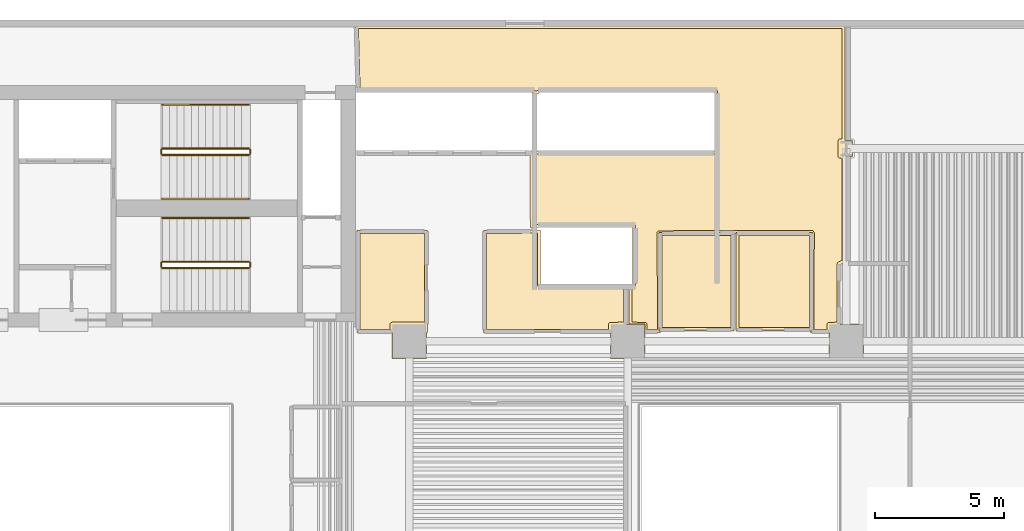
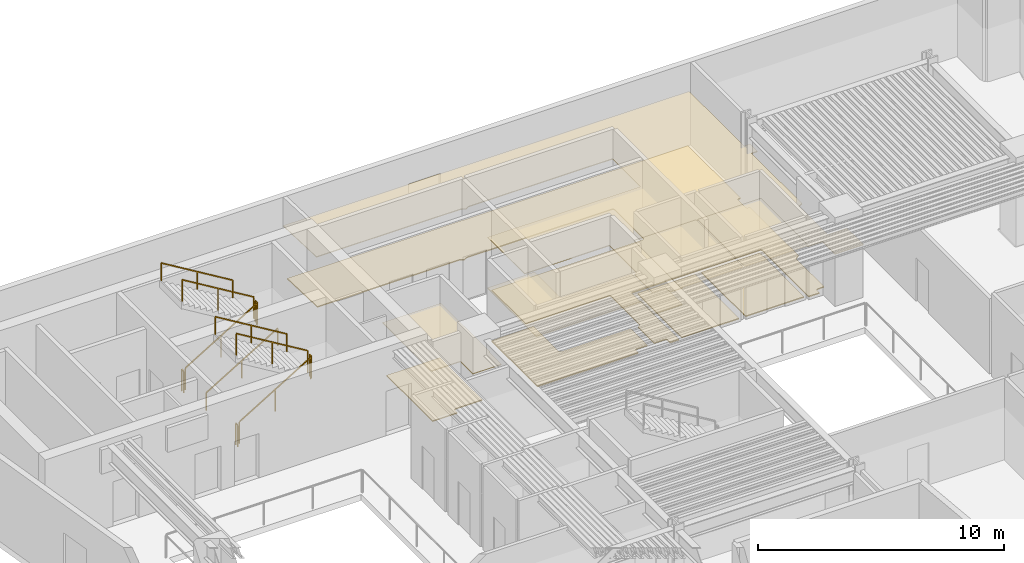
# One storey, part 11 of 12: 11 railings, 10 coverings.
"""IFC4 building model written with IfcOpenShell, lengths in metres."""

from ifc_helpers import new_model, si_unit, direction, frame, origin, origin_2d, place, context, subcontext, project, spatial, polyline, rectangle, outline, extrude, material, layer, layer_set, type_object, element, save


model = new_model("IFC4")

# Units and contexts
model_context = context("Model", 3, precision=1e-05, world=origin(), true_north=direction((0.0, 1.0)))
body_context = subcontext(model_context, "Body", "Model", "MODEL_VIEW")
ifc_project = project(units=[si_unit("LENGTHUNIT", "METRE"), si_unit("AREAUNIT", "SQUARE_METRE"), si_unit("VOLUMEUNIT", "CUBIC_METRE"), si_unit("PLANEANGLEUNIT", "RADIAN"), si_unit("MASSUNIT", "GRAM", prefix="KILO")], contexts=[model_context])

# Site, building, storey
site_placement = place(None, origin())
site = spatial("IfcSite", under=ifc_project, at=site_placement, CompositionType="ELEMENT")
building_placement = place(site_placement, origin())
building = spatial("IfcBuilding", under=site, at=building_placement, Name="Caeloran Harvest Quay", CompositionType="ELEMENT")
storey_placement = place(building_placement, frame((0.0, 0.0, 31.39990234375)))
storey = spatial("IfcBuildingStorey", under=building, at=storey_placement, Name="L07", CompositionType="ELEMENT", Elevation=31.39990234375)

# Coverings
ifc_material_1 = material(Name="Perforated Mineral-Fibre Acoustic Ceiling Tile", Category="ceiling")
ifc_layer_1 = layer(ifc_material_1, 0.0400390625, Name="Perforated Mineral-Fibre Acoustic Ceiling Tile")
ifc_layer_set_1 = layer_set([ifc_layer_1], Name="Perforated Mineral-Fibre Acoustic Ceiling Tile")
covering_type_1 = type_object("IfcCoveringType", Name="COV-CEILING-ACOUSTIC", PredefinedType="CEILING", material=ifc_layer_set_1)
covering_1_placement = place(storey_placement, frame((0.0, 0.0, 2.60009765625)))
element("IfcCovering", 1, at=covering_1_placement, inside=storey, type_object=covering_type_1, Name="L07 Core Telemetry West Room Acoustic Ceiling", PredefinedType="CEILING", context=body_context, shape_type="SweptSolid", body=[
    extrude(outline(polyline([(38.139892578125, 35.239990234375), (38.139892578125, 31.409912109375), (35.2099609375, 31.409912109375), (35.2099609375, 35.239990234375), (38.139892578125, 35.239990234375)])), origin(), (0.0, 0.0, 1.0), 0.0400390625),
])
covering_2_placement = place(storey_placement, frame((0.0, 0.0, 2.60009765625)))
element("IfcCovering", 2, at=covering_2_placement, inside=storey, type_object=covering_type_1, Name="L07 Core Metering East Room Acoustic Ceiling", PredefinedType="CEILING", context=body_context, shape_type="SweptSolid", body=[
    extrude(outline(polyline([(41.18994140625, 35.239990234375), (41.18994140625, 31.409912109375), (38.2099609375, 31.409912109375), (38.2099609375, 35.239990234375), (41.18994140625, 35.239990234375)])), origin(), (0.0, 0.0, 1.0), 0.0400390625),
])
covering_3_placement = place(storey_placement, frame((0.0, 0.0, 2.60009765625)))
element("IfcCovering", 3, at=covering_3_placement, inside=storey, type_object=covering_type_1, Name="Equipment Sterilisation Room Acoustic Ceiling", PredefinedType="CEILING", context=body_context, shape_type="SweptSolid", body=[
    extrude(outline(polyline([(34.669921875, 31.669921875), (34.669921875, 30.330078125), (33.330078125, 30.330078125), (33.330078125, 31.340087890625), (28.389892578125, 31.340087890625), (28.389892578125, 35.31005859375), (30.212890625, 35.31005859375), (30.22021484375, 35.330078125), (30.610107421875, 35.330078125), (30.610107421875, 33.2099609375), (32.34130859375, 33.2099609375), (32.34423828125, 33.2294921875), (32.39990234375, 33.23779296875), (32.455810546875, 33.2294921875), (32.458740234375, 33.2099609375), (33.9599609375, 33.2099609375), (33.9599609375, 31.669921875), (34.669921875, 31.669921875)])), origin(), (0.0, 0.0, 1.0), 0.0400390625),
])
covering_4_placement = place(storey_placement, frame((0.0, 0.0, 2.60009765625)))
element("IfcCovering", 4, at=covering_4_placement, inside=storey, type_object=covering_type_1, Name="Leafy-Greens Hydroponic Growing Hall 9 Acoustic Ceiling", PredefinedType="CEILING", context=body_context, shape_type="SweptSolid", body=[
    extrude(outline(polyline([(26.169921875, 30.330078125), (24.830078125, 30.330078125), (24.830078125, 31.340087890625), (23.469970703125, 31.340087890625), (23.469970703125, 35.32861328125), (23.521728515625, 35.31005859375), (26.2099609375, 35.31005859375), (26.2099609375, 31.340087890625), (26.169921875, 31.340087890625), (26.169921875, 30.330078125)])), origin(), (0.0, 0.0, 1.0), 0.0400390625),
])
covering_5_placement = place(storey_placement, frame((0.0, 0.0, 2.60009765625)))
element("IfcCovering", 5, at=covering_5_placement, inside=storey, type_object=covering_type_1, Name="Seedling Nursery Room 11 Acoustic Ceiling", PredefinedType="CEILING", context=body_context, shape_type="SweptSolid", body=[
    extrude(outline(polyline([(33.330078125, 31.669921875), (34.0400390625, 31.669921875), (34.0400390625, 33.119873046875), (34.18994140625, 33.22119140625), (34.18994140625, 35.439697265625), (30.210205078125, 35.419921875), (30.189697265625, 38.409912109375), (37.3701171875, 38.409912109375), (37.3701171875, 40.68994140625), (30.61083984375, 40.68994140625), (30.43994140625, 40.5888671875), (30.26904296875, 40.68994140625), (23.47119140625, 40.68994140625), (23.399658203125, 43.280029296875), (42.4599609375, 43.280029296875), (42.4599609375, 38.804443359375), (42.7470703125, 38.804443359375), (42.7470703125, 38.195556640625), (42.4599609375, 38.195556640625), (42.4599609375, 34.08984375), (42.260009765625, 33.9794921875), (42.260009765625, 31.669921875), (43.169921875, 31.669921875), (43.169921875, 30.330078125), (41.830078125, 30.330078125), (41.830078125, 31.340087890625), (41.119873046875, 31.340087890625), (41.139892578125, 35.18994140625), (35.26025390625, 35.18994140625), (35.2802734375, 31.340087890625), (34.669921875, 31.340087890625), (34.669921875, 30.330078125), (33.330078125, 30.330078125), (33.330078125, 31.669921875)])), origin(), (0.0, 0.0, 1.0), 0.0400390625),
])
ifc_material_2 = material(Name="Calcium-Sulphate Raised Access Floor and Terrazzo Finish", Category="flooring")
ifc_layer_2 = layer(ifc_material_2, 0.050048828125, Name="Calcium-Sulphate Raised Access Floor and Terrazzo Finish")
ifc_layer_set_2 = layer_set([ifc_layer_2], Name="Calcium-Sulphate Raised Access Floor and Terrazzo Finish")
covering_type_2 = type_object("IfcCoveringType", Name="COV-FLOOR-RAISED", PredefinedType="FLOORING", material=ifc_layer_set_2)
covering_6_placement = place(storey_placement, origin())
element("IfcCovering", 6, at=covering_6_placement, inside=storey, type_object=covering_type_2, Name="L07 Core Telemetry West Room Raised Finish Flooring", PredefinedType="FLOORING", context=body_context, shape_type="SweptSolid", body=[
    extrude(outline(polyline([(38.02001953125, 35.1201171875), (38.02001953125, 31.530029296875), (35.330078125, 31.530029296875), (35.330078125, 35.1201171875), (38.02001953125, 35.1201171875)])), origin(), (0.0, 0.0, 1.0), 0.050048828125),
])
covering_7_placement = place(storey_placement, origin())
element("IfcCovering", 7, at=covering_7_placement, inside=storey, type_object=covering_type_2, Name="L07 Core Metering East Room Raised Finish Flooring", PredefinedType="FLOORING", context=body_context, shape_type="SweptSolid", body=[
    extrude(outline(polyline([(41.070068359375, 35.1201171875), (41.070068359375, 31.530029296875), (38.330078125, 31.530029296875), (38.330078125, 35.1201171875), (41.070068359375, 35.1201171875)])), origin(), (0.0, 0.0, 1.0), 0.050048828125),
])
covering_8_placement = place(storey_placement, origin())
element("IfcCovering", 8, at=covering_8_placement, inside=storey, type_object=covering_type_2, Name="Equipment Sterilisation Room Raised Finish Flooring", PredefinedType="FLOORING", context=body_context, shape_type="SweptSolid", body=[
    extrude(outline(polyline([(28.510009765625, 35.18994140625), (30.489990234375, 35.2099609375), (30.489990234375, 33.199951171875), (30.525146484375, 33.119384765625), (30.60009765625, 33.090087890625), (33.840087890625, 33.090087890625), (33.840087890625, 31.7451171875), (33.29736328125, 31.735595703125), (33.256591796875, 31.6806640625), (33.2548828125, 31.4599609375), (28.510009765625, 31.4599609375), (28.510009765625, 35.18994140625)])), origin(), (0.0, 0.0, 1.0), 0.050048828125),
])
covering_9_placement = place(storey_placement, origin())
element("IfcCovering", 9, at=covering_9_placement, inside=storey, type_object=covering_type_2, Name="Leafy-Greens Hydroponic Growing Hall 9 Raised Finish Flooring", PredefinedType="FLOORING", context=body_context, shape_type="SweptSolid", body=[
    extrude(outline(polyline([(23.590087890625, 35.18994140625), (26.090087890625, 35.18994140625), (26.090087890625, 31.7451171875), (24.8271484375, 31.74462890625), (24.75830078125, 31.688232421875), (24.7548828125, 31.4599609375), (23.590087890625, 31.4599609375), (23.590087890625, 35.18994140625)])), origin(), (0.0, 0.0, 1.0), 0.050048828125),
])
covering_10_placement = place(storey_placement, origin())
element("IfcCovering", 10, at=covering_10_placement, inside=storey, type_object=covering_type_2, Name="Seedling Nursery Room 11 Raised Finish Flooring", PredefinedType="FLOORING", context=body_context, shape_type="SweptSolid", body=[
    extrude(outline(polyline([(37.489990234375, 40.72998046875), (37.466552734375, 40.78662109375), (37.409912109375, 40.81005859375), (30.60009765625, 40.81005859375), (30.43994140625, 40.728271484375), (30.280029296875, 40.81005859375), (23.587890625, 40.81005859375), (23.523193359375, 43.159912109375), (42.340087890625, 43.159912109375), (42.340087890625, 38.87939453125), (42.22021484375, 38.8701171875), (42.177978515625, 38.799560546875), (42.179443359375, 38.184814453125), (42.227294921875, 38.126708984375), (42.340087890625, 38.12060546875), (42.340087890625, 34.16064453125), (42.1748046875, 34.06884765625), (42.140380859375, 34.0107421875), (42.139892578125, 31.7451171875), (41.79052734375, 31.7314453125), (41.75537109375, 31.6728515625), (41.7548828125, 31.4599609375), (41.240478515625, 31.4599609375), (41.260009765625, 35.2294921875), (41.203369140625, 35.306396484375), (35.18212890625, 35.300537109375), (35.139892578125, 35.2294921875), (35.15966796875, 31.4599609375), (34.7451171875, 31.4599609375), (34.743408203125, 31.6806640625), (34.70263671875, 31.735595703125), (34.159912109375, 31.7451171875), (34.159912109375, 33.05615234375), (34.286865234375, 33.143798828125), (34.31005859375, 33.199951171875), (34.309814453125, 35.47998046875), (34.286376953125, 35.53662109375), (34.2294921875, 35.56005859375), (30.329345703125, 35.540283203125), (30.310546875, 38.2900390625), (37.43310546875, 38.29345703125), (37.489990234375, 38.3701171875), (37.489990234375, 40.72998046875)])), origin(), (0.0, 0.0, 1.0), 0.050048828125),
])

# Railings
ifc_material_3 = material(Name="Painted Steel Baluster and Top-Rail Stair Guard", Category="steel")
ifc_layer_3 = layer(ifc_material_3, 0.050048828125, Name="Painted Steel Baluster and Top-Rail Stair Guard")
ifc_layer_set_3 = layer_set([ifc_layer_3], Name="Painted Steel Baluster and Top-Rail Stair Guard")
railing_type_1 = type_object("IfcRailingType", Name="STAIR-GUARD-1100", PredefinedType="GUARDRAIL", material=ifc_layer_set_3)
railing_1_placement = place(storey_placement, frame((15.89990234375, 38.25, 0.16943359375)))
element("IfcRailing", 11, at=railing_1_placement, inside=storey, type_object=railing_type_1, Name="L07 ST-C1 stair guard 1", PredefinedType="GUARDRAIL", context=body_context, shape_type="SweptSolid", body=[
    extrude(rectangle(XDim=0.048095703125, YDim=0.048095703125, at=origin_2d()), frame((0.0, 0.0, 1.076171875), z_axis=(0.855836976705, 0.0, 0.517245656632), x_axis=(0.0, 1.0, 0.0)), (0.0, 0.0, 1.0), 3.926025390625),
    extrude(rectangle(XDim=0.0419921875, YDim=0.0419921875, at=origin_2d()), origin(), (0.0, 0.0, 1.0), 1.052001953125),
    extrude(rectangle(XDim=0.0419921875, YDim=0.0419921875, at=origin_2d()), frame((1.68017578125, 0.0, 1.015380859375)), (0.0, 0.0, 1.0), 1.052001953125),
    extrude(rectangle(XDim=0.0419921875, YDim=0.0419921875, at=origin_2d()), frame((3.360107421875, 0.0, 2.03076171875)), (0.0, 0.0, 1.0), 1.052001953125),
])
railing_2_placement = place(storey_placement, frame((19.31005859375, 38.300048828125, 2.2001953125)))
element("IfcRailing", 12, at=railing_2_placement, inside=storey, type_object=railing_type_1, Name="L07 ST-C1 stair guard 2", PredefinedType="GUARDRAIL", context=body_context, shape_type="SweptSolid", body=[
    extrude(rectangle(XDim=0.048095703125, YDim=0.048095703125, at=origin_2d()), frame((0.0, 0.0, 1.076171875), z_axis=(0.0, 1.0, 0.0), x_axis=(-1.0, 0.0, 0.0)), (0.0, 0.0, 1.0), 0.14990234375),
    extrude(rectangle(XDim=0.0419921875, YDim=0.0419921875, at=origin_2d()), origin(), (0.0, 0.0, 1.0), 1.052001953125),
    extrude(rectangle(XDim=0.0419921875, YDim=0.0419921875, at=origin_2d()), frame((0.0, 0.14990234375, 0.0)), (0.0, 0.0, 1.0), 1.052001953125),
])
railing_3_placement = place(storey_placement, frame((19.260009765625, 38.5, 2.369384765625)))
element("IfcRailing", 13, at=railing_3_placement, inside=storey, type_object=railing_type_1, Name="L07 ST-C1 stair guard 3", PredefinedType="GUARDRAIL", context=body_context, shape_type="SweptSolid", body=[
    extrude(rectangle(XDim=0.048095703125, YDim=0.048095703125, at=origin_2d()), frame((0.0, 0.0, 1.076171875), z_axis=(-0.855836976705, 0.0, 0.517245656632), x_axis=(0.0, -1.0, 0.0)), (0.0, 0.0, 1.0), 3.926025390625),
    extrude(rectangle(XDim=0.0419921875, YDim=0.0419921875, at=origin_2d()), origin(), (0.0, 0.0, 1.0), 1.052001953125),
    extrude(rectangle(XDim=0.0419921875, YDim=0.0419921875, at=origin_2d()), frame((-1.68017578125, 0.0, 1.015380859375)), (0.0, 0.0, 1.0), 1.052001953125),
    extrude(rectangle(XDim=0.0419921875, YDim=0.0419921875, at=origin_2d()), frame((-3.360107421875, 0.0, 2.03076171875)), (0.0, 0.0, 1.0), 1.052001953125),
])
railing_4_placement = place(storey_placement, frame((15.85009765625, 38.300048828125, 0.0)))
element("IfcRailing", 14, at=railing_4_placement, inside=storey, type_object=railing_type_1, Name="L07 ST-C1 stair guard 4", PredefinedType="GUARDRAIL", context=body_context, shape_type="SweptSolid", body=[
    extrude(rectangle(XDim=0.048095703125, YDim=0.048095703125, at=origin_2d()), frame((0.0, 0.0, 1.076171875), z_axis=(0.0, 1.0, 0.0), x_axis=(-1.0, 0.0, 0.0)), (0.0, 0.0, 1.0), 0.14990234375),
    extrude(rectangle(XDim=0.0419921875, YDim=0.0419921875, at=origin_2d()), origin(), (0.0, 0.0, 1.0), 1.052001953125),
    extrude(rectangle(XDim=0.0419921875, YDim=0.0419921875, at=origin_2d()), frame((0.0, 0.14990234375, 0.0)), (0.0, 0.0, 1.0), 1.052001953125),
])
railing_5_placement = place(storey_placement, frame((15.89990234375, 33.85009765625, 0.16943359375)))
element("IfcRailing", 15, at=railing_5_placement, inside=storey, type_object=railing_type_1, Name="L07 ST-C2 stair guard 1", PredefinedType="GUARDRAIL", context=body_context, shape_type="SweptSolid", body=[
    extrude(rectangle(XDim=0.048095703125, YDim=0.048095703125, at=origin_2d()), frame((0.0, 0.0, 1.076171875), z_axis=(0.855836976705, 0.0, 0.517245656632), x_axis=(0.0, 1.0, 0.0)), (0.0, 0.0, 1.0), 3.926025390625),
    extrude(rectangle(XDim=0.0419921875, YDim=0.0419921875, at=origin_2d()), origin(), (0.0, 0.0, 1.0), 1.052001953125),
    extrude(rectangle(XDim=0.0419921875, YDim=0.0419921875, at=origin_2d()), frame((1.68017578125, 0.0, 1.015380859375)), (0.0, 0.0, 1.0), 1.052001953125),
    extrude(rectangle(XDim=0.0419921875, YDim=0.0419921875, at=origin_2d()), frame((3.360107421875, 0.0, 2.03076171875)), (0.0, 0.0, 1.0), 1.052001953125),
])
railing_6_placement = place(storey_placement, frame((19.31005859375, 33.89990234375, 2.2001953125)))
element("IfcRailing", 16, at=railing_6_placement, inside=storey, type_object=railing_type_1, Name="L07 ST-C2 stair guard 2", PredefinedType="GUARDRAIL", context=body_context, shape_type="SweptSolid", body=[
    extrude(rectangle(XDim=0.048095703125, YDim=0.048095703125, at=origin_2d()), frame((0.0, 0.0, 1.076171875), z_axis=(0.0, 1.0, 0.0), x_axis=(-1.0, 0.0, 0.0)), (0.0, 0.0, 1.0), 0.150146484375),
    extrude(rectangle(XDim=0.0419921875, YDim=0.0419921875, at=origin_2d()), origin(), (0.0, 0.0, 1.0), 1.052001953125),
    extrude(rectangle(XDim=0.0419921875, YDim=0.0419921875, at=origin_2d()), frame((0.0, 0.150146484375, 0.0)), (0.0, 0.0, 1.0), 1.052001953125),
])
railing_7_placement = place(storey_placement, frame((19.260009765625, 34.10009765625, 2.369384765625)))
element("IfcRailing", 17, at=railing_7_placement, inside=storey, type_object=railing_type_1, Name="L07 ST-C2 stair guard 3", PredefinedType="GUARDRAIL", context=body_context, shape_type="SweptSolid", body=[
    extrude(rectangle(XDim=0.048095703125, YDim=0.048095703125, at=origin_2d()), frame((0.0, 0.0, 1.076171875), z_axis=(-0.855836976705, 0.0, 0.517245656632), x_axis=(0.0, -1.0, 0.0)), (0.0, 0.0, 1.0), 3.926025390625),
    extrude(rectangle(XDim=0.0419921875, YDim=0.0419921875, at=origin_2d()), origin(), (0.0, 0.0, 1.0), 1.052001953125),
    extrude(rectangle(XDim=0.0419921875, YDim=0.0419921875, at=origin_2d()), frame((-1.68017578125, 0.0, 1.015380859375)), (0.0, 0.0, 1.0), 1.052001953125),
    extrude(rectangle(XDim=0.0419921875, YDim=0.0419921875, at=origin_2d()), frame((-3.360107421875, 0.0, 2.03076171875)), (0.0, 0.0, 1.0), 1.052001953125),
])
railing_8_placement = place(storey_placement, frame((15.85009765625, 33.89990234375, 0.0)))
element("IfcRailing", 18, at=railing_8_placement, inside=storey, type_object=railing_type_1, Name="L07 ST-C2 stair guard 4", PredefinedType="GUARDRAIL", context=body_context, shape_type="SweptSolid", body=[
    extrude(rectangle(XDim=0.048095703125, YDim=0.048095703125, at=origin_2d()), frame((0.0, 0.0, 1.076171875), z_axis=(0.0, 1.0, 0.0), x_axis=(-1.0, 0.0, 0.0)), (0.0, 0.0, 1.0), 0.150146484375),
    extrude(rectangle(XDim=0.0419921875, YDim=0.0419921875, at=origin_2d()), origin(), (0.0, 0.0, 1.0), 1.052001953125),
    extrude(rectangle(XDim=0.0419921875, YDim=0.0419921875, at=origin_2d()), frame((0.0, 0.150146484375, 0.0)), (0.0, 0.0, 1.0), 1.052001953125),
])
ifc_material_4 = material(Name="Brushed Stainless Steel Grade 304", Category="steel")
ifc_layer_4 = layer(ifc_material_4, 0.050048828125, Name="Brushed Stainless Steel Grade 304")
ifc_layer_set_4 = layer_set([ifc_layer_4], Name="Brushed Stainless Steel Grade 304")
railing_type_2 = type_object("IfcRailingType", Name="STAIR-HANDRAIL-900", PredefinedType="HANDRAIL", material=ifc_layer_set_4)
railing_9_placement = place(storey_placement, frame((15.89990234375, 36.550048828125, 0.16943359375)))
element("IfcRailing", 19, at=railing_9_placement, inside=storey, type_object=railing_type_2, Name="L07 ST-C1 stair handrail 1", PredefinedType="HANDRAIL", context=body_context, shape_type="SweptSolid", body=[
    extrude(rectangle(XDim=0.048095703125, YDim=0.048095703125, at=origin_2d()), frame((0.0, 0.0, 0.8759765625), z_axis=(0.855836976705, 0.0, 0.517245656632), x_axis=(0.0, 1.0, 0.0)), (0.0, 0.0, 1.0), 3.926025390625),
    extrude(rectangle(XDim=0.0419921875, YDim=0.0419921875, at=origin_2d()), origin(), (0.0, 0.0, 1.0), 0.851806640625),
    extrude(rectangle(XDim=0.0419921875, YDim=0.0419921875, at=origin_2d()), frame((1.68017578125, 0.0, 1.015380859375)), (0.0, 0.0, 1.0), 0.851806640625),
    extrude(rectangle(XDim=0.0419921875, YDim=0.0419921875, at=origin_2d()), frame((3.360107421875, 0.0, 2.03076171875)), (0.0, 0.0, 1.0), 0.851806640625),
])
for number, where, name in (
    (20, (19.260009765625, 40.199951171875, 2.369384765625), "L07 ST-C1 stair handrail 2"),
    (21, (19.260009765625, 35.800048828125, 2.369384765625), "L07 ST-C2 stair handrail 2"),
):
    element("IfcRailing", number, at=place(storey_placement, frame(where)), inside=storey, type_object=railing_type_2, Name=name, PredefinedType="HANDRAIL", context=body_context, shape_type="SweptSolid", body=[
        extrude(rectangle(XDim=0.048095703125, YDim=0.048095703125, at=origin_2d()), frame((0.0, 0.0, 0.8759765625), z_axis=(-0.855836976705, 0.0, 0.517245656632), x_axis=(0.0, -1.0, 0.0)), (0.0, 0.0, 1.0), 3.926025390625),
        extrude(rectangle(XDim=0.0419921875, YDim=0.0419921875, at=origin_2d()), origin(), (0.0, 0.0, 1.0), 0.851806640625),
        extrude(rectangle(XDim=0.0419921875, YDim=0.0419921875, at=origin_2d()), frame((-1.68017578125, 0.0, 1.015380859375)), (0.0, 0.0, 1.0), 0.851806640625),
        extrude(rectangle(XDim=0.0419921875, YDim=0.0419921875, at=origin_2d()), frame((-3.360107421875, 0.0, 2.03076171875)), (0.0, 0.0, 1.0), 0.851806640625),
    ])

save(model, "model.ifc")
